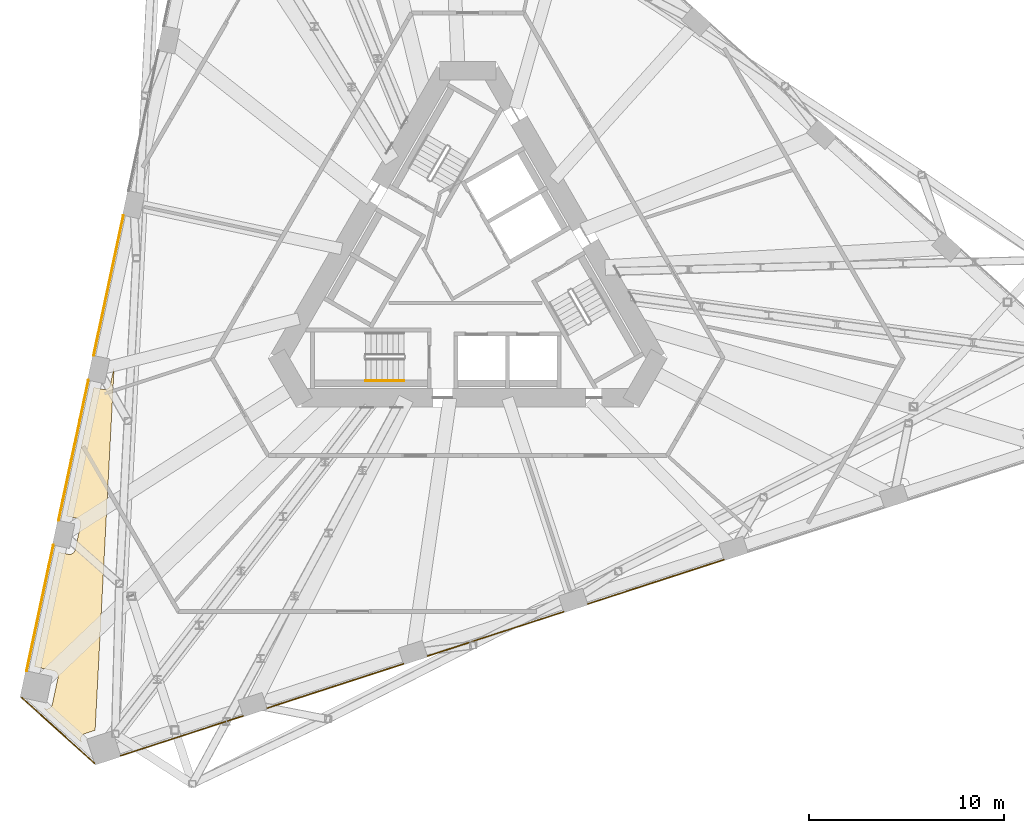
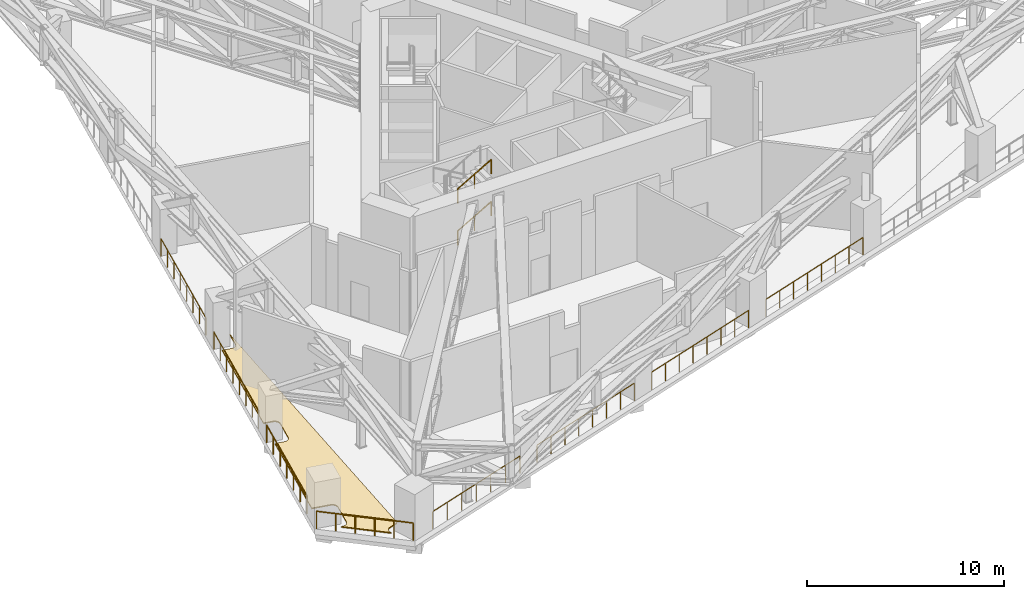
# One storey, part 20 of 24: 10 railings, 2 coverings.
"""IFC4 building model written with IfcOpenShell, lengths in metres."""

from ifc_helpers import new_model, si_unit, direction, frame, origin, origin_2d, place, context, subcontext, project, spatial, polyline, circle, outline, extrude, material, layer, layer_set, type_object, element, save


model = new_model("IFC4")

# Units and contexts
model_context = context("Model", 3, precision=1e-05, world=origin(), true_north=direction((0.0, 1.0)))
body_context = subcontext(model_context, "Body", "Model", "MODEL_VIEW")
ifc_project = project(units=[si_unit("LENGTHUNIT", "METRE"), si_unit("AREAUNIT", "SQUARE_METRE"), si_unit("VOLUMEUNIT", "CUBIC_METRE"), si_unit("PLANEANGLEUNIT", "RADIAN"), si_unit("MASSUNIT", "GRAM", prefix="KILO")], contexts=[model_context])

# Site, building, storey
site_placement = place(None, origin())
site = spatial("IfcSite", under=ifc_project, at=site_placement, CompositionType="ELEMENT")
building_placement = place(site_placement, origin())
building = spatial("IfcBuilding", under=site, at=building_placement, Name="Tramontana Tower", CompositionType="ELEMENT")
storey_placement = place(building_placement, frame((0.0, 0.0, 120.39990234375)))
storey = spatial("IfcBuildingStorey", under=building, at=storey_placement, Name="L27", CompositionType="ELEMENT", Elevation=120.39990234375)

# Railings
ifc_material_1 = material(Name="Stainless steel rail and posts", Category="steel")
railing_type_1 = type_object("IfcRailingType", Name="GD2 Terrace guard 1100", PredefinedType="GUARDRAIL", material=ifc_material_1)
railing_1_placement = place(storey_placement, frame((-22.91064453125, -21.69140625, 0.0)))
element("IfcRailing", 1, at=railing_1_placement, inside=storey, type_object=railing_type_1, Name="Edge guard L27 1", PredefinedType="GUARDRAIL", context=body_context, shape_type="SweptSolid", body=[
    extrude(circle(Radius=0.02392578125, at=origin_2d()), frame((0.0, 0.0, 1.076171875), z_axis=(0.743149123554, -0.66912583283, 0.0), x_axis=(0.66912583283, 0.743149123554, 0.0)), (0.0, 0.0, 1.0), 5.023193359375),
    extrude(circle(Radius=0.02099609375, at=origin_2d()), origin(), (0.0, 0.0, 1.0), 1.052001953125),
    extrude(circle(Radius=0.02099609375, at=origin_2d()), frame((0.74658203125, -0.672119140625, 0.0)), (0.0, 0.0, 1.0), 1.052001953125),
    extrude(circle(Radius=0.02099609375, at=origin_2d()), frame((1.4931640625, -1.344482421875, 0.0)), (0.0, 0.0, 1.0), 1.052001953125),
    extrude(circle(Radius=0.02099609375, at=origin_2d()), frame((2.23974609375, -2.0166015625, 0.0)), (0.0, 0.0, 1.0), 1.052001953125),
    extrude(circle(Radius=0.02099609375, at=origin_2d()), frame((2.986328125, -2.68896484375, 0.0)), (0.0, 0.0, 1.0), 1.052001953125),
    extrude(circle(Radius=0.02099609375, at=origin_2d()), frame((3.73291015625, -3.361083984375, 0.0)), (0.0, 0.0, 1.0), 1.052001953125),
])
railing_2_placement = place(storey_placement, frame((-21.2939453125, -13.845703125, 0.0)))
element("IfcRailing", 2, at=railing_2_placement, inside=storey, type_object=railing_type_1, Name="Edge guard L27 2", PredefinedType="GUARDRAIL", context=body_context, shape_type="SweptSolid", body=[
    extrude(circle(Radius=0.02392578125, at=origin_2d()), frame((0.0, 0.0, 1.076171875), z_axis=(-0.207934731097, -0.978142703088, 0.0), x_axis=(0.978142703088, -0.207934731097, 0.0)), (0.0, 0.0, 1.0), 6.6103515625),
    extrude(circle(Radius=0.02099609375, at=origin_2d()), origin(), (0.0, 0.0, 1.0), 1.052001953125),
    extrude(circle(Radius=0.02099609375, at=origin_2d()), frame((-0.22900390625, -1.07763671875, 0.0)), (0.0, 0.0, 1.0), 1.052001953125),
    extrude(circle(Radius=0.02099609375, at=origin_2d()), frame((-0.458251953125, -2.1552734375, 0.0)), (0.0, 0.0, 1.0), 1.052001953125),
    extrude(circle(Radius=0.02099609375, at=origin_2d()), frame((-0.687255859375, -3.23291015625, 0.0)), (0.0, 0.0, 1.0), 1.052001953125),
    extrude(circle(Radius=0.02099609375, at=origin_2d()), frame((-0.916259765625, -4.310546875, 0.0)), (0.0, 0.0, 1.0), 1.052001953125),
    extrude(circle(Radius=0.02099609375, at=origin_2d()), frame((-1.1455078125, -5.38818359375, 0.0)), (0.0, 0.0, 1.0), 1.052001953125),
    extrude(circle(Radius=0.02099609375, at=origin_2d()), frame((-1.37451171875, -6.4658203125, 0.0)), (0.0, 0.0, 1.0), 1.052001953125),
])
for number, where, name in (
    (3, (-19.493408203125, -5.374755859375, 0.0), "Edge guard L27 3"),
    (4, (-17.69287109375, 3.09619140625, 0.0), "Edge guard L27 4"),
):
    element("IfcRailing", number, at=place(storey_placement, frame(where)), inside=storey, type_object=railing_type_1, Name=name, PredefinedType="GUARDRAIL", context=body_context, shape_type="SweptSolid", body=[
        extrude(circle(Radius=0.02392578125, at=origin_2d()), frame((0.0, 0.0, 1.076171875), z_axis=(-0.207909137741, -0.978148143403, 0.0), x_axis=(0.978148143403, -0.207909137741, 0.0)), (0.0, 0.0, 1.0), 7.3603515625),
        extrude(circle(Radius=0.02099609375, at=origin_2d()), origin(), (0.0, 0.0, 1.0), 1.052001953125),
        extrude(circle(Radius=0.02099609375, at=origin_2d()), frame((-0.218505859375, -1.028564453125, 0.0)), (0.0, 0.0, 1.0), 1.052001953125),
        extrude(circle(Radius=0.02099609375, at=origin_2d()), frame((-0.437255859375, -2.056884765625, 0.0)), (0.0, 0.0, 1.0), 1.052001953125),
        extrude(circle(Radius=0.02099609375, at=origin_2d()), frame((-0.65576171875, -3.08544921875, 0.0)), (0.0, 0.0, 1.0), 1.052001953125),
        extrude(circle(Radius=0.02099609375, at=origin_2d()), frame((-0.87451171875, -4.114013671875, 0.0)), (0.0, 0.0, 1.0), 1.052001953125),
        extrude(circle(Radius=0.02099609375, at=origin_2d()), frame((-1.093017578125, -5.142578125, 0.0)), (0.0, 0.0, 1.0), 1.052001953125),
        extrude(circle(Radius=0.02099609375, at=origin_2d()), frame((-1.311767578125, -6.1708984375, 0.0)), (0.0, 0.0, 1.0), 1.052001953125),
        extrude(circle(Radius=0.02099609375, at=origin_2d()), frame((-1.5302734375, -7.199462890625, 0.0)), (0.0, 0.0, 1.0), 1.052001953125),
    ])
railing_3_placement = place(storey_placement, frame((-17.830810546875, -24.667236328125, 0.0)))
element("IfcRailing", 5, at=railing_3_placement, inside=storey, type_object=railing_type_1, Name="Edge guard L27 5", PredefinedType="GUARDRAIL", context=body_context, shape_type="SweptSolid", body=[
    extrude(circle(Radius=0.02392578125, at=origin_2d()), frame((0.0, 0.0, 1.076171875), z_axis=(0.951063920917, 0.308994204365, 0.0), x_axis=(-0.308994204365, 0.951063920917, 0.0)), (0.0, 0.0, 1.0), 6.610107421875),
    extrude(circle(Radius=0.02099609375, at=origin_2d()), origin(), (0.0, 0.0, 1.0), 1.052001953125),
    extrude(circle(Radius=0.02099609375, at=origin_2d()), frame((1.0478515625, 0.34033203125, 0.0)), (0.0, 0.0, 1.0), 1.052001953125),
    extrude(circle(Radius=0.02099609375, at=origin_2d()), frame((2.095458984375, 0.680908203125, 0.0)), (0.0, 0.0, 1.0), 1.052001953125),
    extrude(circle(Radius=0.02099609375, at=origin_2d()), frame((3.143310546875, 1.021240234375, 0.0)), (0.0, 0.0, 1.0), 1.052001953125),
    extrude(circle(Radius=0.02099609375, at=origin_2d()), frame((4.191162109375, 1.361572265625, 0.0)), (0.0, 0.0, 1.0), 1.052001953125),
    extrude(circle(Radius=0.02099609375, at=origin_2d()), frame((5.23876953125, 1.7021484375, 0.0)), (0.0, 0.0, 1.0), 1.052001953125),
    extrude(circle(Radius=0.02099609375, at=origin_2d()), frame((6.28662109375, 2.04248046875, 0.0)), (0.0, 0.0, 1.0), 1.052001953125),
])
railing_4_placement = place(storey_placement, frame((-10.307861328125, -22.222900390625, 0.0)))
element("IfcRailing", 6, at=railing_4_placement, inside=storey, type_object=railing_type_1, Name="Edge guard L27 10", PredefinedType="GUARDRAIL", context=body_context, shape_type="SweptSolid", body=[
    extrude(circle(Radius=0.02392578125, at=origin_2d()), frame((0.0, 0.0, 1.076171875), z_axis=(0.951060634332, 0.309004320073, 0.0), x_axis=(-0.309004320073, 0.951060634332, 0.0)), (0.0, 0.0, 1.0), 7.3603515625),
    extrude(circle(Radius=0.02099609375, at=origin_2d()), origin(), (0.0, 0.0, 1.0), 1.052001953125),
    extrude(circle(Radius=0.02099609375, at=origin_2d()), frame((1.0, 0.324951171875, 0.0)), (0.0, 0.0, 1.0), 1.052001953125),
    extrude(circle(Radius=0.02099609375, at=origin_2d()), frame((2.0, 0.64990234375, 0.0)), (0.0, 0.0, 1.0), 1.052001953125),
    extrude(circle(Radius=0.02099609375, at=origin_2d()), frame((3.0, 0.974853515625, 0.0)), (0.0, 0.0, 1.0), 1.052001953125),
    extrude(circle(Radius=0.02099609375, at=origin_2d()), frame((4.000244140625, 1.299560546875, 0.0)), (0.0, 0.0, 1.0), 1.052001953125),
    extrude(circle(Radius=0.02099609375, at=origin_2d()), frame((5.000244140625, 1.62451171875, 0.0)), (0.0, 0.0, 1.0), 1.052001953125),
    extrude(circle(Radius=0.02099609375, at=origin_2d()), frame((6.000244140625, 1.949462890625, 0.0)), (0.0, 0.0, 1.0), 1.052001953125),
    extrude(circle(Radius=0.02099609375, at=origin_2d()), frame((7.000244140625, 2.2744140625, 0.0)), (0.0, 0.0, 1.0), 1.052001953125),
])
railing_5_placement = place(storey_placement, frame((-2.0712890625, -19.546875, 0.0)))
element("IfcRailing", 7, at=railing_5_placement, inside=storey, type_object=railing_type_1, Name="Edge guard L27 12", PredefinedType="GUARDRAIL", context=body_context, shape_type="SweptSolid", body=[
    extrude(circle(Radius=0.02392578125, at=origin_2d()), frame((0.0, 0.0, 1.076171875), z_axis=(0.951047718282, 0.309044070565, 0.0), x_axis=(-0.309044070565, 0.951047718282, 0.0)), (0.0, 0.0, 1.0), 7.3603515625),
    extrude(circle(Radius=0.02099609375, at=origin_2d()), origin(), (0.0, 0.0, 1.0), 1.052001953125),
    extrude(circle(Radius=0.02099609375, at=origin_2d()), frame((1.0, 0.324951171875, 0.0)), (0.0, 0.0, 1.0), 1.052001953125),
    extrude(circle(Radius=0.02099609375, at=origin_2d()), frame((2.0, 0.64990234375, 0.0)), (0.0, 0.0, 1.0), 1.052001953125),
    extrude(circle(Radius=0.02099609375, at=origin_2d()), frame((3.0, 0.974853515625, 0.0)), (0.0, 0.0, 1.0), 1.052001953125),
    extrude(circle(Radius=0.02099609375, at=origin_2d()), frame((4.0, 1.2998046875, 0.0)), (0.0, 0.0, 1.0), 1.052001953125),
    extrude(circle(Radius=0.02099609375, at=origin_2d()), frame((5.0, 1.624755859375, 0.0)), (0.0, 0.0, 1.0), 1.052001953125),
    extrude(circle(Radius=0.02099609375, at=origin_2d()), frame((6.0, 1.94970703125, 0.0)), (0.0, 0.0, 1.0), 1.052001953125),
    extrude(circle(Radius=0.02099609375, at=origin_2d()), frame((7.0, 2.274658203125, 0.0)), (0.0, 0.0, 1.0), 1.052001953125),
])
railing_6_placement = place(storey_placement, frame((6.1650390625, -16.87060546875, 0.0)))
element("IfcRailing", 8, at=railing_6_placement, inside=storey, type_object=railing_type_1, Name="Edge guard L27 15", PredefinedType="GUARDRAIL", context=body_context, shape_type="SweptSolid", body=[
    extrude(circle(Radius=0.02392578125, at=origin_2d()), frame((0.0, 0.0, 1.076171875), z_axis=(0.951057467065, 0.309014068191, 0.0), x_axis=(-0.309014068191, 0.951057467065, 0.0)), (0.0, 0.0, 1.0), 7.360107421875),
    extrude(circle(Radius=0.02099609375, at=origin_2d()), origin(), (0.0, 0.0, 1.0), 1.052001953125),
    extrude(circle(Radius=0.02099609375, at=origin_2d()), frame((1.0, 0.324951171875, 0.0)), (0.0, 0.0, 1.0), 1.052001953125),
    extrude(circle(Radius=0.02099609375, at=origin_2d()), frame((2.0, 0.64990234375, 0.0)), (0.0, 0.0, 1.0), 1.052001953125),
    extrude(circle(Radius=0.02099609375, at=origin_2d()), frame((3.0, 0.974853515625, 0.0)), (0.0, 0.0, 1.0), 1.052001953125),
    extrude(circle(Radius=0.02099609375, at=origin_2d()), frame((4.0, 1.299560546875, 0.0)), (0.0, 0.0, 1.0), 1.052001953125),
    extrude(circle(Radius=0.02099609375, at=origin_2d()), frame((5.0, 1.62451171875, 0.0)), (0.0, 0.0, 1.0), 1.052001953125),
    extrude(circle(Radius=0.02099609375, at=origin_2d()), frame((6.0, 1.949462890625, 0.0)), (0.0, 0.0, 1.0), 1.052001953125),
    extrude(circle(Radius=0.02099609375, at=origin_2d()), frame((7.0, 2.2744140625, 0.0)), (0.0, 0.0, 1.0), 1.052001953125),
])

# Covering
ifc_material_2 = material(Name="Limestone paving 60", Category="masonry")
ifc_layer_1 = layer(ifc_material_2, 0.06005859375)
ifc_layer_set_1 = layer_set([ifc_layer_1], Name="PV1 Terrace paving 60")
covering_type_1 = type_object("IfcCoveringType", Name="PV1 Terrace paving 60", PredefinedType="FLOORING", material=ifc_layer_set_1)
covering_1_placement = place(storey_placement, frame((0.0, 0.0, 0.010009765625)))
element("IfcCovering", 9, at=covering_1_placement, inside=storey, type_object=covering_type_1, Name="Terrace paving L27 2", PredefinedType="FLOORING", context=body_context, shape_type="SweptSolid", body=[
    extrude(outline(polyline([(-21.780029296875, -22.238525390625), (-21.701416015625, -22.255126953125), (-21.67236328125, -22.259765625), (-21.642822265625, -22.26171875), (-21.613525390625, -22.260498046875), (-21.584228515625, -22.256591796875), (-21.5556640625, -22.25), (-21.52783203125, -22.240234375), (-21.5009765625, -22.22802734375), (-21.4755859375, -22.21337890625), (-21.45166015625, -22.196044921875), (-21.4296875, -22.176513671875), (-21.40966796875, -22.155029296875), (-21.3916015625, -22.131591796875), (-21.376220703125, -22.1064453125), (-21.36328125, -22.080078125), (-21.35302734375, -22.052490234375), (-21.345458984375, -22.024169921875), (-21.054443359375, -20.654541015625), (-21.0498046875, -20.62548828125), (-21.0478515625, -20.59619140625), (-21.049072265625, -20.56689453125), (-21.052978515625, -20.53759765625), (-21.0595703125, -20.509033203125), (-21.0693359375, -20.481201171875), (-21.08154296875, -20.454345703125), (-21.09619140625, -20.428955078125), (-21.113525390625, -20.405029296875), (-21.133056640625, -20.383056640625), (-21.154541015625, -20.36279296875), (-21.177978515625, -20.344970703125), (-21.203125, -20.32958984375), (-21.2294921875, -20.316650390625), (-21.257080078125, -20.306396484375), (-21.285400390625, -20.298828125), (-22.263671875, -20.0908203125), (-21.01416015625, -14.2119140625), (-20.52490234375, -14.31591796875), (-20.495849609375, -14.320556640625), (-20.466552734375, -14.322509765625), (-20.43701171875, -14.321533203125), (-20.407958984375, -14.3173828125), (-20.37939453125, -14.310791015625), (-20.351318359375, -14.30126953125), (-20.32470703125, -14.288818359375), (-20.29931640625, -14.274169921875), (-20.275390625, -14.2568359375), (-20.253173828125, -14.2373046875), (-20.233154296875, -14.2158203125), (-20.21533203125, -14.1923828125), (-20.199951171875, -14.16748046875), (-20.18701171875, -14.140869140625), (-20.1767578125, -14.11328125), (-20.169189453125, -14.0849609375), (-19.89892578125, -12.813232421875), (-19.894287109375, -12.7841796875), (-19.892333984375, -12.7548828125), (-19.893310546875, -12.725341796875), (-19.8974609375, -12.6962890625), (-19.904052734375, -12.667724609375), (-19.91357421875, -12.6396484375), (-19.926025390625, -12.613037109375), (-19.940673828125, -12.587646484375), (-19.9580078125, -12.563720703125), (-19.9775390625, -12.54150390625), (-19.9990234375, -12.521484375), (-20.0224609375, -12.503662109375), (-20.04736328125, -12.48828125), (-20.073974609375, -12.475341796875), (-20.1015625, -12.465087890625), (-20.1298828125, -12.45751953125), (-20.618896484375, -12.353515625), (-19.21337890625, -5.740966796875), (-18.724365234375, -5.844970703125), (-18.6953125, -5.849609375), (-18.666015625, -5.8515625), (-18.636474609375, -5.850341796875), (-18.607421875, -5.846435546875), (-18.57861328125, -5.839599609375), (-18.55078125, -5.830078125), (-18.524169921875, -5.81787109375), (-18.49853515625, -5.80322265625), (-18.474853515625, -5.785888671875), (-18.45263671875, -5.766357421875), (-18.4326171875, -5.744873046875), (-18.414794921875, -5.721435546875), (-18.3994140625, -5.6962890625), (-18.386474609375, -5.669921875), (-18.376220703125, -5.642333984375), (-18.36865234375, -5.61376953125), (-18.169677734375, -4.678466796875), (-19.14892578125, -23.360595703125), (-19.672119140625, -23.53076171875), (-19.69970703125, -23.541259765625), (-19.72607421875, -23.55419921875), (-19.7509765625, -23.56982421875), (-19.7744140625, -23.587890625), (-19.795654296875, -23.608154296875), (-19.815185546875, -23.63037109375), (-19.832275390625, -23.654296875), (-19.8466796875, -23.679931640625), (-19.85888671875, -23.706787109375), (-19.8681640625, -23.734619140625), (-19.874755859375, -23.76318359375), (-19.878662109375, -23.79248046875), (-19.87939453125, -23.822021484375), (-19.87744140625, -23.851318359375), (-19.87255859375, -23.88037109375), (-19.86474609375, -23.90869140625), (-19.840087890625, -23.985107421875), (-21.780029296875, -22.238525390625)])), origin(), (0.0, 0.0, 1.0), 0.06005859375),
])

# Railings
ifc_material_3 = material(Name="Painted steel", Category="steel")
railing_type_2 = type_object("IfcRailingType", Name="STAIR HANDRAIL 900", PredefinedType="HANDRAIL", material=ifc_material_3)
railing_7_placement = place(storey_placement, frame((-5.239990234375, -5.39990234375, 1.462646484375)))
element("IfcRailing", 10, at=railing_7_placement, inside=storey, type_object=railing_type_2, Name="L27 ST2 stair handrail 2", PredefinedType="HANDRAIL", context=body_context, shape_type="SweptSolid", body=[
    extrude(circle(Radius=0.02392578125, at=origin_2d()), frame((0.0, 0.0, 0.8759765625), z_axis=(0.864902109995, 0.0, 0.501940574298), x_axis=(0.0, 1.0, 0.0)), (0.0, 0.0, 1.0), 2.26611328125),
    extrude(circle(Radius=0.02099609375, at=origin_2d()), origin(), (0.0, 0.0, 1.0), 0.851806640625),
    extrude(circle(Radius=0.02099609375, at=origin_2d()), frame((0.97998046875, 0.0, 0.56884765625)), (0.0, 0.0, 1.0), 0.851806640625),
    extrude(circle(Radius=0.02099609375, at=origin_2d()), frame((1.9599609375, 0.0, 1.137451171875)), (0.0, 0.0, 1.0), 0.851806640625),
])
railing_8_placement = place(storey_placement, frame((-5.239990234375, -5.39990234375, 4.0625)))
element("IfcRailing", 11, at=railing_8_placement, inside=storey, type_object=railing_type_2, Name="L27 ST2 stair handrail 4", PredefinedType="HANDRAIL", context=body_context, shape_type="SweptSolid", body=[
    extrude(circle(Radius=0.02392578125, at=origin_2d()), frame((0.0, 0.0, 0.8759765625), z_axis=(0.864855337533, 0.0, 0.502021160053), x_axis=(0.0, 1.0, 0.0)), (0.0, 0.0, 1.0), 2.26611328125),
    extrude(circle(Radius=0.02099609375, at=origin_2d()), origin(), (0.0, 0.0, 1.0), 0.851806640625),
    extrude(circle(Radius=0.02099609375, at=origin_2d()), frame((0.97998046875, 0.0, 0.56884765625)), (0.0, 0.0, 1.0), 0.851806640625),
    extrude(circle(Radius=0.02099609375, at=origin_2d()), frame((1.9599609375, 0.0, 1.1376953125)), (0.0, 0.0, 1.0), 0.851806640625),
])

# Covering
ifc_material_4 = material(Name="Bituminous waterproofing membrane")
ifc_layer_2 = layer(ifc_material_4, 0.010009765625)
ifc_layer_set_2 = layer_set([ifc_layer_2], Name="WP1 Terrace waterproofing membrane 10")
covering_type_2 = type_object("IfcCoveringType", Name="WP1 Terrace waterproofing membrane 10", PredefinedType="MEMBRANE", material=ifc_layer_set_2)
covering_2_placement = place(storey_placement, origin())
element("IfcCovering", 12, at=covering_2_placement, inside=storey, type_object=covering_type_2, Name="Terrace membrane L27 2", PredefinedType="MEMBRANE", context=body_context, shape_type="SweptSolid", body=[
    extrude(outline(polyline([(-21.780029296875, -22.238525390625), (-21.701416015625, -22.255126953125), (-21.67236328125, -22.259765625), (-21.642822265625, -22.26171875), (-21.613525390625, -22.260498046875), (-21.584228515625, -22.256591796875), (-21.5556640625, -22.25), (-21.52783203125, -22.240234375), (-21.5009765625, -22.22802734375), (-21.4755859375, -22.21337890625), (-21.45166015625, -22.196044921875), (-21.4296875, -22.176513671875), (-21.40966796875, -22.155029296875), (-21.3916015625, -22.131591796875), (-21.376220703125, -22.1064453125), (-21.36328125, -22.080078125), (-21.35302734375, -22.052490234375), (-21.345458984375, -22.024169921875), (-21.054443359375, -20.654541015625), (-21.0498046875, -20.62548828125), (-21.0478515625, -20.59619140625), (-21.049072265625, -20.56689453125), (-21.052978515625, -20.53759765625), (-21.0595703125, -20.509033203125), (-21.0693359375, -20.481201171875), (-21.08154296875, -20.454345703125), (-21.09619140625, -20.428955078125), (-21.113525390625, -20.405029296875), (-21.133056640625, -20.383056640625), (-21.154541015625, -20.36279296875), (-21.177978515625, -20.344970703125), (-21.203125, -20.32958984375), (-21.2294921875, -20.316650390625), (-21.257080078125, -20.306396484375), (-21.285400390625, -20.298828125), (-22.263671875, -20.0908203125), (-21.01416015625, -14.2119140625), (-20.52490234375, -14.31591796875), (-20.495849609375, -14.320556640625), (-20.466552734375, -14.322509765625), (-20.43701171875, -14.321533203125), (-20.407958984375, -14.3173828125), (-20.37939453125, -14.310791015625), (-20.351318359375, -14.30126953125), (-20.32470703125, -14.288818359375), (-20.29931640625, -14.274169921875), (-20.275390625, -14.2568359375), (-20.253173828125, -14.2373046875), (-20.233154296875, -14.2158203125), (-20.21533203125, -14.1923828125), (-20.199951171875, -14.16748046875), (-20.18701171875, -14.140869140625), (-20.1767578125, -14.11328125), (-20.169189453125, -14.0849609375), (-19.89892578125, -12.813232421875), (-19.894287109375, -12.7841796875), (-19.892333984375, -12.7548828125), (-19.893310546875, -12.725341796875), (-19.8974609375, -12.6962890625), (-19.904052734375, -12.667724609375), (-19.91357421875, -12.6396484375), (-19.926025390625, -12.613037109375), (-19.940673828125, -12.587646484375), (-19.9580078125, -12.563720703125), (-19.9775390625, -12.54150390625), (-19.9990234375, -12.521484375), (-20.0224609375, -12.503662109375), (-20.04736328125, -12.48828125), (-20.073974609375, -12.475341796875), (-20.1015625, -12.465087890625), (-20.1298828125, -12.45751953125), (-20.618896484375, -12.353515625), (-19.21337890625, -5.740966796875), (-18.724365234375, -5.844970703125), (-18.6953125, -5.849609375), (-18.666015625, -5.8515625), (-18.636474609375, -5.850341796875), (-18.607421875, -5.846435546875), (-18.57861328125, -5.839599609375), (-18.55078125, -5.830078125), (-18.524169921875, -5.81787109375), (-18.49853515625, -5.80322265625), (-18.474853515625, -5.785888671875), (-18.45263671875, -5.766357421875), (-18.4326171875, -5.744873046875), (-18.414794921875, -5.721435546875), (-18.3994140625, -5.6962890625), (-18.386474609375, -5.669921875), (-18.376220703125, -5.642333984375), (-18.36865234375, -5.61376953125), (-18.169677734375, -4.678466796875), (-19.14892578125, -23.360595703125), (-19.672119140625, -23.53076171875), (-19.69970703125, -23.541259765625), (-19.72607421875, -23.55419921875), (-19.7509765625, -23.56982421875), (-19.7744140625, -23.587890625), (-19.795654296875, -23.608154296875), (-19.815185546875, -23.63037109375), (-19.832275390625, -23.654296875), (-19.8466796875, -23.679931640625), (-19.85888671875, -23.706787109375), (-19.8681640625, -23.734619140625), (-19.874755859375, -23.76318359375), (-19.878662109375, -23.79248046875), (-19.87939453125, -23.822021484375), (-19.87744140625, -23.851318359375), (-19.87255859375, -23.88037109375), (-19.86474609375, -23.90869140625), (-19.840087890625, -23.985107421875), (-21.780029296875, -22.238525390625)])), origin(), (0.0, 0.0, 1.0), 0.010009765625),
])

save(model, "model.ifc")
